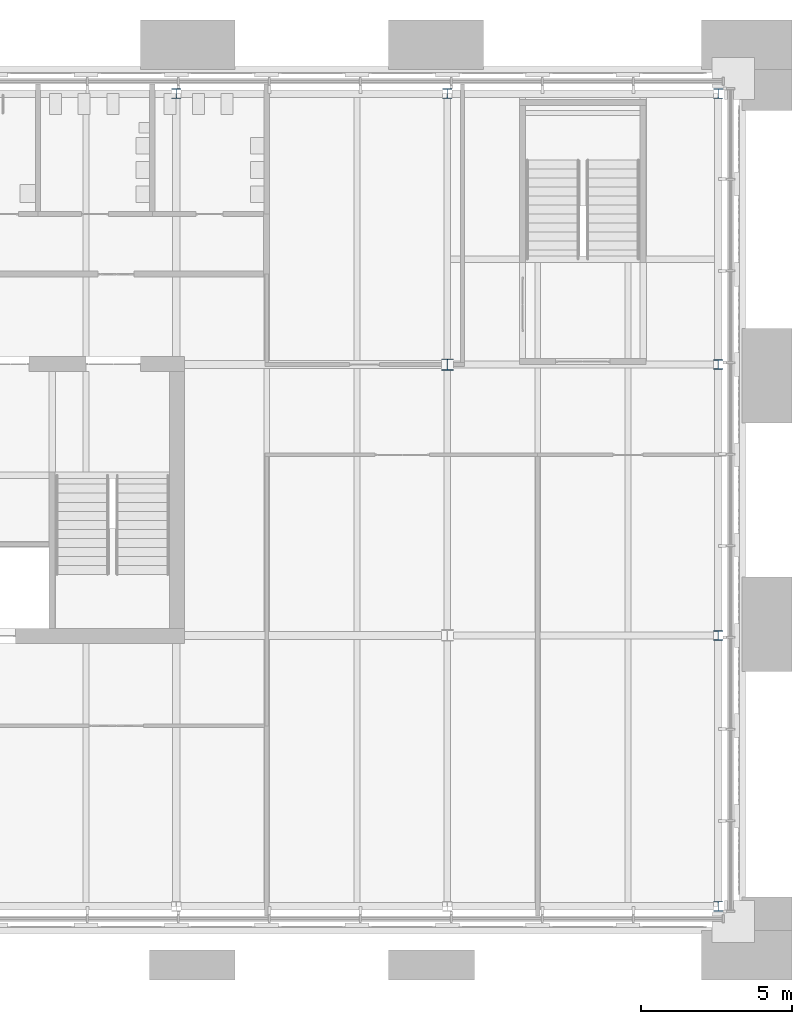
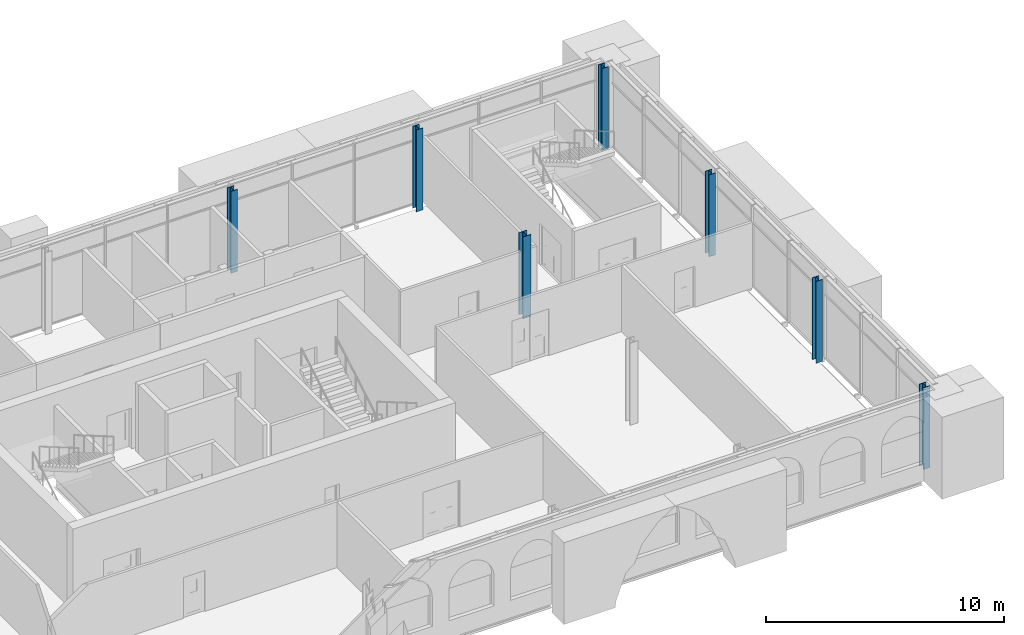
# One storey, part 2 of 22: 7 columns.
"""IFC4 building model written with IfcOpenShell, lengths in metres."""

from ifc_helpers import new_model, si_unit, direction, frame, origin, origin_2d, place, context, subcontext, project, spatial, i_section, extrude, material, material_profile, profile_set, type_object, element, save


model = new_model("IFC4")

# Units and contexts
model_context = context("Model", 3, precision=1e-05, world=origin(), true_north=direction((0.0, 1.0)))
body_context = subcontext(model_context, "Body", "Model", "MODEL_VIEW")
ifc_project = project(units=[si_unit("LENGTHUNIT", "METRE"), si_unit("AREAUNIT", "SQUARE_METRE"), si_unit("VOLUMEUNIT", "CUBIC_METRE"), si_unit("PLANEANGLEUNIT", "RADIAN"), si_unit("MASSUNIT", "GRAM", prefix="KILO")], contexts=[model_context])

# Site, building, storey
site_placement = place(None, origin())
site = spatial("IfcSite", under=ifc_project, at=site_placement, CompositionType="ELEMENT")
building_placement = place(site_placement, origin())
building = spatial("IfcBuilding", under=site, at=building_placement, Name="Baradari Gate Terminus", CompositionType="ELEMENT")
storey_placement = place(building_placement, frame((0.0, 0.0, 28.5)))
storey = spatial("IfcBuildingStorey", under=building, at=storey_placement, Name="L06", CompositionType="ELEMENT", Elevation=28.5)

# Columns
ifc_material_1 = material(Name="Steel S355", Category="steel")
ifc_material_profile_1 = material_profile(ifc_material_1, i_section(OverallWidth=0.394775390625, OverallDepth=0.381103515625, WebThickness=0.018310546875, FlangeThickness=0.0302734375, FilletRadius=0.01513671875, at=origin_2d()), Name="UC 356x406x235")
ifc_profile_set_1 = profile_set([ifc_material_profile_1], Name="Steel S355")
column_type_1 = type_object("IfcColumnType", Name="Operations block column C21 UC 356x406x235", PredefinedType="COLUMN", material=ifc_profile_set_1)
column_placement = place(storey_placement, frame((54.0, 135.0, 0.0), z_axis=(0.0, 0.0, 1.0), x_axis=(1.0, 0.0, 0.0)))
element("IfcColumn", 1, at=column_placement, inside=storey, type_object=column_type_1, Name="C21 column 7-R L06", PredefinedType="COLUMN", context=body_context, shape_type="SweptSolid", body=[
    extrude(i_section(OverallWidth=0.394775390625, OverallDepth=0.381103515625, WebThickness=0.018310546875, FlangeThickness=0.0302734375, FilletRadius=0.01513671875, at=origin_2d()), origin(), (0.0, 0.0, 1.0), 4.199951171875),
])
ifc_material_2 = material(Name="Steel S355", Category="steel")
ifc_material_profile_2 = material_profile(ifc_material_2, i_section(OverallWidth=0.314453125, OverallDepth=0.33984375, WebThickness=0.01904296875, FlangeThickness=0.031494140625, FilletRadius=0.01513671875, at=origin_2d()), Name="UC 305x305x198")
ifc_profile_set_2 = profile_set([ifc_material_profile_2], Name="Steel S355")
column_type_2 = type_object("IfcColumnType", Name="Operations block perimeter column C20 UC 305x305x198", PredefinedType="COLUMN", material=ifc_profile_set_2)
for number, where, z_axis, x_axis, name in (
    (2, (45.0, 144.0, 0.0), (0.0, 0.0, 1.0), (1.0, 0.0, 0.0), "C20 column 6-S L06"),
    (3, (54.0, 144.0, 0.0), (0.0, 0.0, 1.0), (1.0, 0.0, 0.0), "C20 column 7-S L06"),
    (4, (63.0, 117.0, 0.0), (0.0, 0.0, 1.0), (1.0, 0.0, 0.0), "C20 column 8-P L06"),
    (5, (63.0, 126.0, 0.0), (0.0, 0.0, 1.0), (1.0, 0.0, 0.0), "C20 column 8-Q L06"),
    (6, (63.0, 135.0, 0.0), (0.0, 0.0, 1.0), (1.0, 0.0, 0.0), "C20 column 8-R L06"),
    (7, (63.0, 144.0, 0.0), (0.0, 0.0, 1.0), (1.0, 0.0, 0.0), "C20 column 8-S L06"),
):
    element("IfcColumn", number, at=place(storey_placement, frame(where, z_axis=z_axis, x_axis=x_axis)), inside=storey, type_object=column_type_2, Name=name, PredefinedType="COLUMN", context=body_context, shape_type="SweptSolid", body=[
        extrude(i_section(OverallWidth=0.314453125, OverallDepth=0.33984375, WebThickness=0.01904296875, FlangeThickness=0.031494140625, FilletRadius=0.01513671875, at=origin_2d()), origin(), (0.0, 0.0, 1.0), 4.199951171875),
    ])

save(model, "model.ifc")
